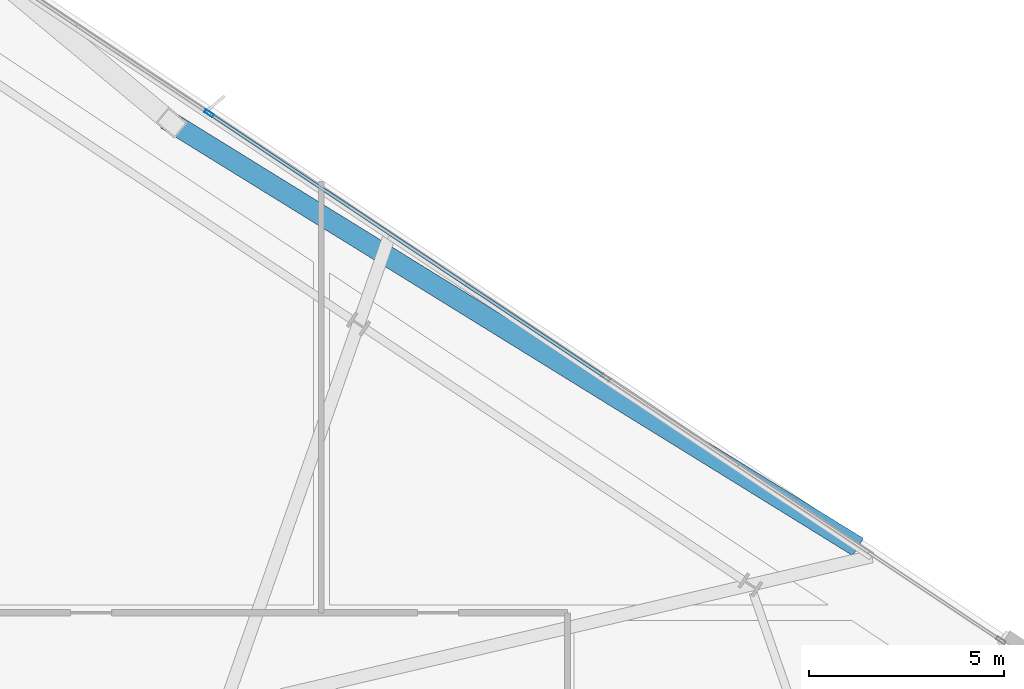
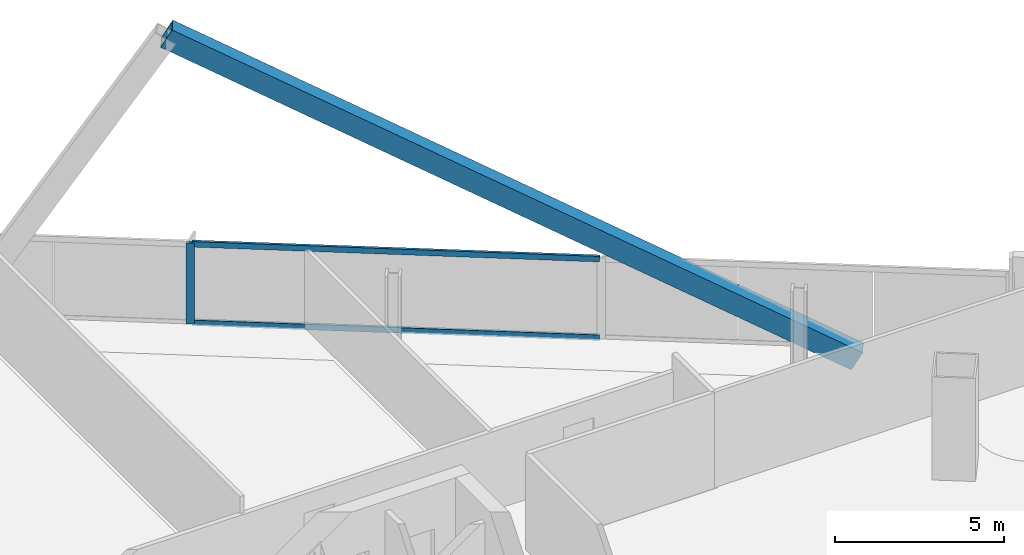
# One storey, part 22 of 32: 4 members, 1 element without a shape of its own.
"""IFC4 building model written with IfcOpenShell, lengths in metres."""

from ifc_helpers import new_model, si_unit, direction, frame, origin, origin_2d, place, context, subcontext, project, spatial, hollow_rectangle, extrude, material, material_profile, profile_set, type_object, element, aggregate, save


model = new_model("IFC4")

# Units and contexts
model_context = context("Model", 3, precision=1e-05, world=origin(), true_north=direction((0.0, 1.0)))
body_context = subcontext(model_context, "Body", "Model", "MODEL_VIEW")
ifc_project = project(units=[si_unit("LENGTHUNIT", "METRE"), si_unit("AREAUNIT", "SQUARE_METRE"), si_unit("VOLUMEUNIT", "CUBIC_METRE"), si_unit("PLANEANGLEUNIT", "RADIAN"), si_unit("MASSUNIT", "GRAM", prefix="KILO")], contexts=[model_context])

# Site, building, storey
site_placement = place(None, origin())
site = spatial("IfcSite", under=ifc_project, at=site_placement, CompositionType="ELEMENT")
building_placement = place(site_placement, origin())
building = spatial("IfcBuilding", under=site, at=building_placement, Name="Haldenkirk Collegiate Tower", CompositionType="ELEMENT")
storey_placement = place(building_placement, frame((0.0, 0.0, 217.199951171875)))
storey = spatial("IfcBuildingStorey", under=building, at=storey_placement, Name="L54", CompositionType="ELEMENT", Elevation=217.199951171875)

# Curtain wall, members
ifc_material_1 = material(Name="Anodised architectural bronze aluminium", Category="aluminium")
curtain_wall_type = type_object("IfcCurtainWallType", Name="CW-SYS1B-CONVEX-HI", PredefinedType="USERDEFINED", material=ifc_material_1)
curtain_wall_placement = place(storey_placement, origin())
curtain_wall = element("IfcCurtainWall", 1, at=curtain_wall_placement, inside=storey, type_object=curtain_wall_type, Name="L54 Upper tower high-wind convex bronze unitised curtain wall", ObjectType="UNITISED CURTAIN WALL", PredefinedType="USERDEFINED")
ifc_material_profile_1 = material_profile(ifc_material_1, hollow_rectangle(XDim=0.0849609375, YDim=0.25, WallThickness=0.0048828125, at=origin_2d()), Name="CW-MUL-1B")
ifc_profile_set_1 = profile_set([ifc_material_profile_1], Name="Anodised architectural bronze aluminium")
member_type_1 = type_object("IfcMemberType", Name="CW-MUL-1B", PredefinedType="MULLION", material=ifc_profile_set_1)
member_1_placement = place(storey_placement, frame((44.620361328125, 49.23681640625, 0.0), z_axis=(0.0, 0.0, 1.0), x_axis=(0.554118725701, 0.832437648012, 0.0)))
member_1 = element("IfcMember", 2, at=member_1_placement, type_object=member_type_1, Name="CW-1B mullion 2", PredefinedType="MULLION", context=body_context, shape_type="SweptSolid", body=[
    extrude(hollow_rectangle(XDim=0.0849609375, YDim=0.25, WallThickness=0.0048828125, at=origin_2d()), origin(), (0.0, 0.0, 1.0), 2.927978515625),
])
ifc_material_profile_2 = material_profile(ifc_material_1, hollow_rectangle(XDim=0.0849609375, YDim=0.199951171875, WallThickness=0.0048828125, at=origin_2d()), Name="CW-TRN-1B")
ifc_profile_set_2 = profile_set([ifc_material_profile_2], Name="Anodised architectural bronze aluminium")
member_type_2 = type_object("IfcMemberType", Name="CW-TRN-1B", PredefinedType="USERDEFINED", material=ifc_profile_set_2)
member_2_placement = place(storey_placement, frame((44.65576171875, 49.21337890625, 0.04248046875), z_axis=(0.832443816642, -0.554109458622, 0.0), x_axis=(0.554109458622, 0.832443816642, 0.0)))
member_2 = element("IfcMember", 3, at=member_2_placement, type_object=member_type_2, Name="CW-1B transom 2.1", ObjectType="TRANSOM", PredefinedType="USERDEFINED", context=body_context, shape_type="SweptSolid", body=[
    extrude(hollow_rectangle(XDim=0.0849609375, YDim=0.199951171875, WallThickness=0.0048828125, at=origin_2d()), origin(), (0.0, 0.0, 1.0), 12.115234375),
])
member_3_placement = place(storey_placement, frame((44.65576171875, 49.21337890625, 2.885498046875), z_axis=(0.832443816642, -0.554109458622, 0.0), x_axis=(0.554109458622, 0.832443816642, 0.0)))
member_3 = element("IfcMember", 4, at=member_3_placement, type_object=member_type_2, Name="CW-1B transom 2.2", ObjectType="TRANSOM", PredefinedType="USERDEFINED", context=body_context, shape_type="SweptSolid", body=[
    extrude(hollow_rectangle(XDim=0.0849609375, YDim=0.199951171875, WallThickness=0.0048828125, at=origin_2d()), origin(), (0.0, 0.0, 1.0), 12.115234375),
])
aggregate(curtain_wall, [member_1, member_2, member_3])

# Member
ifc_material_2 = material(Name="Steel ASTM A572 Grade 50", Category="steel")
ifc_material_profile_3 = material_profile(ifc_material_2, hollow_rectangle(XDim=0.52001953125, YDim=0.719970703125, WallThickness=0.035888671875, at=origin_2d()), Name="BOX720X520X36")
ifc_profile_set_3 = profile_set([ifc_material_profile_3], Name="Steel ASTM A572 Grade 50")
member_type_3 = type_object("IfcMemberType", Name="MBR-MEGABRACE-BOX720X520X36", PredefinedType="BRACE", material=ifc_profile_set_3)
member_4_placement = place(storey_placement, frame((61.09033203125, 38.2255859375, -0.2900390625), z_axis=(-0.745604073905, 0.460827714413, 0.481365124001), x_axis=(-0.525746842449, -0.850641086272, 0.0)))
element("IfcMember", 5, at=member_4_placement, inside=storey, type_object=member_type_3, Name="Perimeter Mega Brace Z4 L54-L56 EL", PredefinedType="BRACE", context=body_context, shape_type="SweptSolid", body=[
    extrude(hollow_rectangle(XDim=0.52001953125, YDim=0.719970703125, WallThickness=0.035888671875, at=origin_2d()), origin(), (0.0, 0.0, 1.0), 23.37109375),
])

save(model, "model.ifc")
